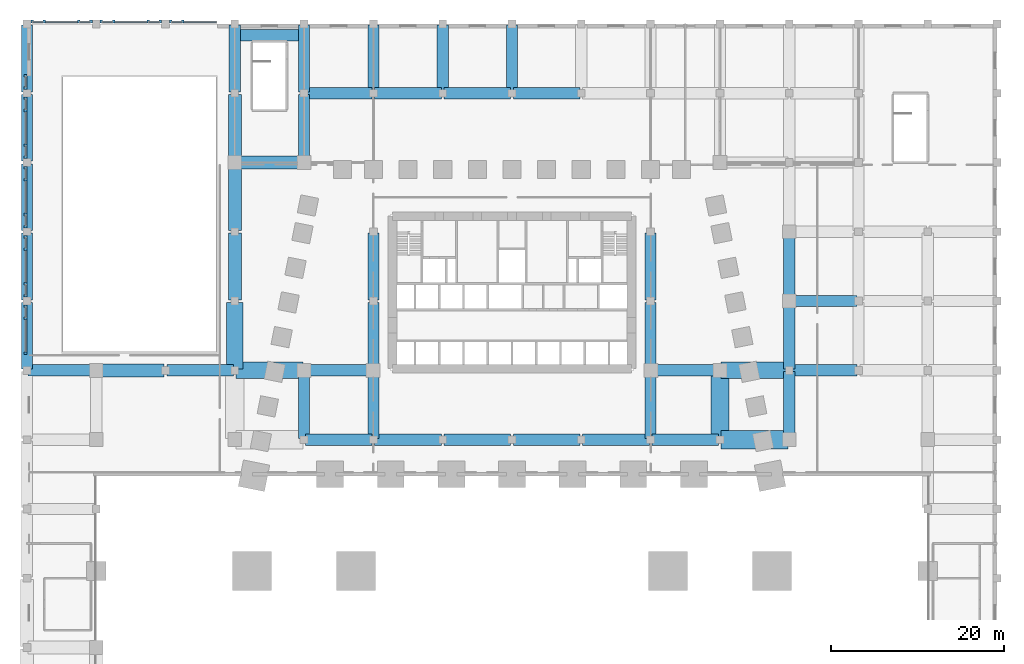
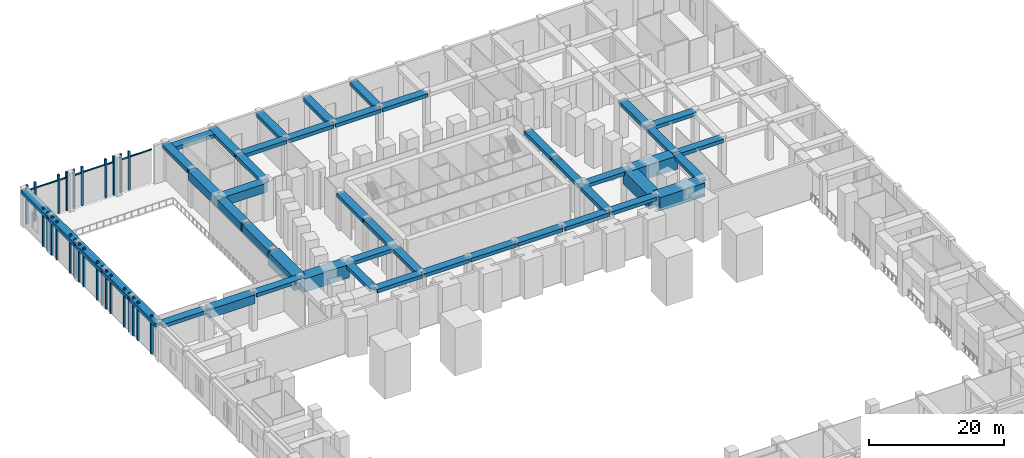
# One storey, part 2 of 18: 48 beams, 47 members, 8 elements without a shape of their own.
"""IFC4 building model written with IfcOpenShell, lengths in metres."""

from ifc_helpers import new_model, si_unit, direction, frame, origin, origin_2d, place, context, subcontext, project, spatial, rectangle, extrude, material, material_profile, profile_set, type_object, element, aggregate, save


model = new_model("IFC4")

# Units and contexts
model_context = context("Model", 3, precision=1e-05, world=origin(), true_north=direction((0.0, 1.0)))
body_context = subcontext(model_context, "Body", "Model", "MODEL_VIEW")
ifc_project = project(units=[si_unit("LENGTHUNIT", "METRE"), si_unit("AREAUNIT", "SQUARE_METRE"), si_unit("VOLUMEUNIT", "CUBIC_METRE"), si_unit("PLANEANGLEUNIT", "RADIAN"), si_unit("MASSUNIT", "GRAM", prefix="KILO")], contexts=[model_context])

# Site, building, storey
site_placement = place(None, origin())
site = spatial("IfcSite", under=ifc_project, at=site_placement, CompositionType="ELEMENT")
building_placement = place(site_placement, origin())
building = spatial("IfcBuilding", under=site, at=building_placement, Name="Isbrekke Arena Tower", CompositionType="ELEMENT")
storey_placement = place(building_placement, frame((0.0, 0.0, 12.0)))
storey = spatial("IfcBuildingStorey", under=building, at=storey_placement, Name="L02", CompositionType="ELEMENT", Elevation=12.0)

# Curtain wall, members
ifc_material_1 = material(Name="Glazed aluminium curtain wall", Category="aluminium")
curtain_wall_type = type_object("IfcCurtainWallType", Name="CWP ATRIUM CURTAIN WALL", PredefinedType="USERDEFINED", material=ifc_material_1)
curtain_wall_1_placement = place(storey_placement, origin())
curtain_wall_1 = element("IfcCurtainWall", 1, at=curtain_wall_1_placement, inside=storey, type_object=curtain_wall_type, Name="CWP curtain wall L02-PW", ObjectType="ATRIUM CURTAIN WALL", PredefinedType="USERDEFINED")
ifc_material_2 = material(Name="Aluminium mullion, pale brick slip cladding", Category="masonry")
ifc_material_profile_1 = material_profile(ifc_material_2, rectangle(XDim=0.300048828125, YDim=0.35009765625, at=origin_2d()), Name="PIER 300X350")
ifc_profile_set_1 = profile_set([ifc_material_profile_1], Name="Aluminium mullion, pale brick slip cladding")
member_type_1 = type_object("IfcMemberType", Name="CWP-M PIER MULLION 300 x 350", PredefinedType="MULLION", material=ifc_profile_set_1)
member_1_placement = place(storey_placement, frame((-56.175048828125, 40.0, 0.0), z_axis=(0.0, 0.0, 1.0), x_axis=(0.0, -1.0, 0.0)))
member_1 = element("IfcMember", 2, at=member_1_placement, type_object=member_type_1, Name="CWP-M mullion 1", PredefinedType="MULLION", context=body_context, shape_type="SweptSolid", body=[
    extrude(rectangle(XDim=0.300048828125, YDim=0.35009765625, at=origin_2d()), origin(), (0.0, 0.0, 1.0), 7.0),
])
member_2_placement = place(storey_placement, frame((-56.175048828125, 38.60009765625, 0.0), z_axis=(0.0, 0.0, 1.0), x_axis=(0.0, -1.0, 0.0)))
member_2 = element("IfcMember", 3, at=member_2_placement, type_object=member_type_1, Name="CWP-M mullion 2", PredefinedType="MULLION", context=body_context, shape_type="SweptSolid", body=[
    extrude(rectangle(XDim=0.300048828125, YDim=0.35009765625, at=origin_2d()), origin(), (0.0, 0.0, 1.0), 7.0),
])

curtain_wall_2_placement = place(storey_placement, origin())
curtain_wall_2 = element("IfcCurtainWall", 4, at=curtain_wall_2_placement, inside=storey, type_object=curtain_wall_type, Name="CWP curtain wall L02-PW2", ObjectType="ATRIUM CURTAIN WALL", PredefinedType="USERDEFINED")
member_3_placement = place(storey_placement, frame((-56.175048828125, 37.39990234375, 0.0), z_axis=(0.0, 0.0, 1.0), x_axis=(0.0, -1.0, 0.0)))
member_3 = element("IfcMember", 5, at=member_3_placement, type_object=member_type_1, Name="CWP-M mullion 1", PredefinedType="MULLION", context=body_context, shape_type="SweptSolid", body=[
    extrude(rectangle(XDim=0.300048828125, YDim=0.35009765625, at=origin_2d()), origin(), (0.0, 0.0, 1.0), 7.0),
])
member_4_placement = place(storey_placement, frame((-56.175048828125, 36.0, 0.0), z_axis=(0.0, 0.0, 1.0), x_axis=(0.0, -1.0, 0.0)))
member_4 = element("IfcMember", 6, at=member_4_placement, type_object=member_type_1, Name="CWP-M mullion 2", PredefinedType="MULLION", context=body_context, shape_type="SweptSolid", body=[
    extrude(rectangle(XDim=0.300048828125, YDim=0.35009765625, at=origin_2d()), origin(), (0.0, 0.0, 1.0), 7.0),
])
member_5_placement = place(storey_placement, frame((-56.175048828125, 32.0, 0.0), z_axis=(0.0, 0.0, 1.0), x_axis=(0.0, -1.0, 0.0)))
member_5 = element("IfcMember", 7, at=member_5_placement, type_object=member_type_1, Name="CWP-M mullion 3", PredefinedType="MULLION", context=body_context, shape_type="SweptSolid", body=[
    extrude(rectangle(XDim=0.300048828125, YDim=0.35009765625, at=origin_2d()), origin(), (0.0, 0.0, 1.0), 7.0),
])
member_6_placement = place(storey_placement, frame((-56.175048828125, 30.60009765625, 0.0), z_axis=(0.0, 0.0, 1.0), x_axis=(0.0, -1.0, 0.0)))
member_6 = element("IfcMember", 8, at=member_6_placement, type_object=member_type_1, Name="CWP-M mullion 4", PredefinedType="MULLION", context=body_context, shape_type="SweptSolid", body=[
    extrude(rectangle(XDim=0.300048828125, YDim=0.35009765625, at=origin_2d()), origin(), (0.0, 0.0, 1.0), 7.0),
])

curtain_wall_3_placement = place(storey_placement, origin())
curtain_wall_3 = element("IfcCurtainWall", 9, at=curtain_wall_3_placement, inside=storey, type_object=curtain_wall_type, Name="CWP curtain wall L02-PW3", ObjectType="ATRIUM CURTAIN WALL", PredefinedType="USERDEFINED")
member_7_placement = place(storey_placement, frame((-56.175048828125, 29.39990234375, 0.0), z_axis=(0.0, 0.0, 1.0), x_axis=(0.0, -1.0, 0.0)))
member_7 = element("IfcMember", 10, at=member_7_placement, type_object=member_type_1, Name="CWP-M mullion 1", PredefinedType="MULLION", context=body_context, shape_type="SweptSolid", body=[
    extrude(rectangle(XDim=0.300048828125, YDim=0.35009765625, at=origin_2d()), origin(), (0.0, 0.0, 1.0), 7.0),
])
member_8_placement = place(storey_placement, frame((-56.175048828125, 28.0, 0.0), z_axis=(0.0, 0.0, 1.0), x_axis=(0.0, -1.0, 0.0)))
member_8 = element("IfcMember", 11, at=member_8_placement, type_object=member_type_1, Name="CWP-M mullion 2", PredefinedType="MULLION", context=body_context, shape_type="SweptSolid", body=[
    extrude(rectangle(XDim=0.300048828125, YDim=0.35009765625, at=origin_2d()), origin(), (0.0, 0.0, 1.0), 7.0),
])
member_9_placement = place(storey_placement, frame((-56.175048828125, 24.0, 0.0), z_axis=(0.0, 0.0, 1.0), x_axis=(0.0, -1.0, 0.0)))
member_9 = element("IfcMember", 12, at=member_9_placement, type_object=member_type_1, Name="CWP-M mullion 3", PredefinedType="MULLION", context=body_context, shape_type="SweptSolid", body=[
    extrude(rectangle(XDim=0.300048828125, YDim=0.35009765625, at=origin_2d()), origin(), (0.0, 0.0, 1.0), 7.0),
])
member_10_placement = place(storey_placement, frame((-56.175048828125, 22.60009765625, 0.0), z_axis=(0.0, 0.0, 1.0), x_axis=(0.0, -1.0, 0.0)))
member_10 = element("IfcMember", 13, at=member_10_placement, type_object=member_type_1, Name="CWP-M mullion 4", PredefinedType="MULLION", context=body_context, shape_type="SweptSolid", body=[
    extrude(rectangle(XDim=0.300048828125, YDim=0.35009765625, at=origin_2d()), origin(), (0.0, 0.0, 1.0), 7.0),
])

curtain_wall_4_placement = place(storey_placement, origin())
curtain_wall_4 = element("IfcCurtainWall", 14, at=curtain_wall_4_placement, inside=storey, type_object=curtain_wall_type, Name="CWP curtain wall L02-PW4", ObjectType="ATRIUM CURTAIN WALL", PredefinedType="USERDEFINED")
member_11_placement = place(storey_placement, frame((-56.175048828125, 21.39990234375, 0.0), z_axis=(0.0, 0.0, 1.0), x_axis=(0.0, -1.0, 0.0)))
member_11 = element("IfcMember", 15, at=member_11_placement, type_object=member_type_1, Name="CWP-M mullion 1", PredefinedType="MULLION", context=body_context, shape_type="SweptSolid", body=[
    extrude(rectangle(XDim=0.300048828125, YDim=0.35009765625, at=origin_2d()), origin(), (0.0, 0.0, 1.0), 7.0),
])
member_12_placement = place(storey_placement, frame((-56.175048828125, 20.0, 0.0), z_axis=(0.0, 0.0, 1.0), x_axis=(0.0, -1.0, 0.0)))
member_12 = element("IfcMember", 16, at=member_12_placement, type_object=member_type_1, Name="CWP-M mullion 2", PredefinedType="MULLION", context=body_context, shape_type="SweptSolid", body=[
    extrude(rectangle(XDim=0.300048828125, YDim=0.35009765625, at=origin_2d()), origin(), (0.0, 0.0, 1.0), 7.0),
])
member_13_placement = place(storey_placement, frame((-56.175048828125, 16.0, 0.0), z_axis=(0.0, 0.0, 1.0), x_axis=(0.0, -1.0, 0.0)))
member_13 = element("IfcMember", 17, at=member_13_placement, type_object=member_type_1, Name="CWP-M mullion 3", PredefinedType="MULLION", context=body_context, shape_type="SweptSolid", body=[
    extrude(rectangle(XDim=0.300048828125, YDim=0.35009765625, at=origin_2d()), origin(), (0.0, 0.0, 1.0), 7.0),
])
member_14_placement = place(storey_placement, frame((-56.175048828125, 14.60009765625, 0.0), z_axis=(0.0, 0.0, 1.0), x_axis=(0.0, -1.0, 0.0)))
member_14 = element("IfcMember", 18, at=member_14_placement, type_object=member_type_1, Name="CWP-M mullion 4", PredefinedType="MULLION", context=body_context, shape_type="SweptSolid", body=[
    extrude(rectangle(XDim=0.300048828125, YDim=0.35009765625, at=origin_2d()), origin(), (0.0, 0.0, 1.0), 7.0),
])

curtain_wall_5_placement = place(storey_placement, origin())
curtain_wall_5 = element("IfcCurtainWall", 19, at=curtain_wall_5_placement, inside=storey, type_object=curtain_wall_type, Name="CWP curtain wall L02-PW5", ObjectType="ATRIUM CURTAIN WALL", PredefinedType="USERDEFINED")
member_15_placement = place(storey_placement, frame((-56.175048828125, 13.39990234375, 0.0), z_axis=(0.0, 0.0, 1.0), x_axis=(0.0, -1.0, 0.0)))
member_15 = element("IfcMember", 20, at=member_15_placement, type_object=member_type_1, Name="CWP-M mullion 1", PredefinedType="MULLION", context=body_context, shape_type="SweptSolid", body=[
    extrude(rectangle(XDim=0.300048828125, YDim=0.35009765625, at=origin_2d()), origin(), (0.0, 0.0, 1.0), 7.0),
])
member_16_placement = place(storey_placement, frame((-56.175048828125, 12.0, 0.0), z_axis=(0.0, 0.0, 1.0), x_axis=(0.0, -1.0, 0.0)))
member_16 = element("IfcMember", 21, at=member_16_placement, type_object=member_type_1, Name="CWP-M mullion 2", PredefinedType="MULLION", context=body_context, shape_type="SweptSolid", body=[
    extrude(rectangle(XDim=0.300048828125, YDim=0.35009765625, at=origin_2d()), origin(), (0.0, 0.0, 1.0), 7.0),
])
member_17_placement = place(storey_placement, frame((-56.175048828125, 8.0, 0.0), z_axis=(0.0, 0.0, 1.0), x_axis=(0.0, -1.0, 0.0)))
member_17 = element("IfcMember", 22, at=member_17_placement, type_object=member_type_1, Name="CWP-M mullion 3", PredefinedType="MULLION", context=body_context, shape_type="SweptSolid", body=[
    extrude(rectangle(XDim=0.300048828125, YDim=0.35009765625, at=origin_2d()), origin(), (0.0, 0.0, 1.0), 7.0),
])

curtain_wall_6_placement = place(storey_placement, origin())
curtain_wall_6 = element("IfcCurtainWall", 23, at=curtain_wall_6_placement, inside=storey, type_object=curtain_wall_type, Name="CWP curtain wall L02-PN", ObjectType="ATRIUM CURTAIN WALL", PredefinedType="USERDEFINED")
member_18_placement = place(storey_placement, frame((-38.0, 46.25, 0.0), z_axis=(0.0, 0.0, 1.0), x_axis=(-1.0, 0.0, 0.0)))
member_18 = element("IfcMember", 24, at=member_18_placement, type_object=member_type_1, Name="CWP-M mullion 1", PredefinedType="MULLION", context=body_context, shape_type="SweptSolid", body=[
    extrude(rectangle(XDim=0.300048828125, YDim=0.35009765625, at=origin_2d()), origin(), (0.0, 0.0, 1.0), 7.0),
])
member_19_placement = place(storey_placement, frame((-39.39990234375, 46.25, 0.0), z_axis=(0.0, 0.0, 1.0), x_axis=(-1.0, 0.0, 0.0)))
member_19 = element("IfcMember", 25, at=member_19_placement, type_object=member_type_1, Name="CWP-M mullion 2", PredefinedType="MULLION", context=body_context, shape_type="SweptSolid", body=[
    extrude(rectangle(XDim=0.300048828125, YDim=0.35009765625, at=origin_2d()), origin(), (0.0, 0.0, 1.0), 7.0),
])

curtain_wall_7_placement = place(storey_placement, origin())
curtain_wall_7 = element("IfcCurtainWall", 26, at=curtain_wall_7_placement, inside=storey, type_object=curtain_wall_type, Name="CWP curtain wall L02-PN2", ObjectType="ATRIUM CURTAIN WALL", PredefinedType="USERDEFINED")
member_20_placement = place(storey_placement, frame((-40.60009765625, 46.25, 0.0), z_axis=(0.0, 0.0, 1.0), x_axis=(-1.0, 0.0, 0.0)))
member_20 = element("IfcMember", 27, at=member_20_placement, type_object=member_type_1, Name="CWP-M mullion 1", PredefinedType="MULLION", context=body_context, shape_type="SweptSolid", body=[
    extrude(rectangle(XDim=0.300048828125, YDim=0.35009765625, at=origin_2d()), origin(), (0.0, 0.0, 1.0), 7.0),
])
member_21_placement = place(storey_placement, frame((-42.0, 46.25, 0.0), z_axis=(0.0, 0.0, 1.0), x_axis=(-1.0, 0.0, 0.0)))
member_21 = element("IfcMember", 28, at=member_21_placement, type_object=member_type_1, Name="CWP-M mullion 2", PredefinedType="MULLION", context=body_context, shape_type="SweptSolid", body=[
    extrude(rectangle(XDim=0.300048828125, YDim=0.35009765625, at=origin_2d()), origin(), (0.0, 0.0, 1.0), 7.0),
])
member_22_placement = place(storey_placement, frame((-46.0, 46.25, 0.0), z_axis=(0.0, 0.0, 1.0), x_axis=(-1.0, 0.0, 0.0)))
member_22 = element("IfcMember", 29, at=member_22_placement, type_object=member_type_1, Name="CWP-M mullion 3", PredefinedType="MULLION", context=body_context, shape_type="SweptSolid", body=[
    extrude(rectangle(XDim=0.300048828125, YDim=0.35009765625, at=origin_2d()), origin(), (0.0, 0.0, 1.0), 7.0),
])
member_23_placement = place(storey_placement, frame((-47.39990234375, 46.25, 0.0), z_axis=(0.0, 0.0, 1.0), x_axis=(-1.0, 0.0, 0.0)))
member_23 = element("IfcMember", 30, at=member_23_placement, type_object=member_type_1, Name="CWP-M mullion 4", PredefinedType="MULLION", context=body_context, shape_type="SweptSolid", body=[
    extrude(rectangle(XDim=0.300048828125, YDim=0.35009765625, at=origin_2d()), origin(), (0.0, 0.0, 1.0), 7.0),
])

curtain_wall_8_placement = place(storey_placement, origin())
curtain_wall_8 = element("IfcCurtainWall", 31, at=curtain_wall_8_placement, inside=storey, type_object=curtain_wall_type, Name="CWP curtain wall L02-PN3", ObjectType="ATRIUM CURTAIN WALL", PredefinedType="USERDEFINED")
member_24_placement = place(storey_placement, frame((-48.60009765625, 46.25, 0.0), z_axis=(0.0, 0.0, 1.0), x_axis=(-1.0, 0.0, 0.0)))
member_24 = element("IfcMember", 32, at=member_24_placement, type_object=member_type_1, Name="CWP-M mullion 1", PredefinedType="MULLION", context=body_context, shape_type="SweptSolid", body=[
    extrude(rectangle(XDim=0.300048828125, YDim=0.35009765625, at=origin_2d()), origin(), (0.0, 0.0, 1.0), 7.0),
])
member_25_placement = place(storey_placement, frame((-50.0, 46.25, 0.0), z_axis=(0.0, 0.0, 1.0), x_axis=(-1.0, 0.0, 0.0)))
member_25 = element("IfcMember", 33, at=member_25_placement, type_object=member_type_1, Name="CWP-M mullion 2", PredefinedType="MULLION", context=body_context, shape_type="SweptSolid", body=[
    extrude(rectangle(XDim=0.300048828125, YDim=0.35009765625, at=origin_2d()), origin(), (0.0, 0.0, 1.0), 7.0),
])
member_26_placement = place(storey_placement, frame((-54.0, 46.25, 0.0), z_axis=(0.0, 0.0, 1.0), x_axis=(-1.0, 0.0, 0.0)))
member_26 = element("IfcMember", 34, at=member_26_placement, type_object=member_type_1, Name="CWP-M mullion 3", PredefinedType="MULLION", context=body_context, shape_type="SweptSolid", body=[
    extrude(rectangle(XDim=0.300048828125, YDim=0.35009765625, at=origin_2d()), origin(), (0.0, 0.0, 1.0), 7.0),
])
member_27_placement = place(storey_placement, frame((-55.402099609375, 46.25, 0.0), z_axis=(0.0, 0.0, 1.0), x_axis=(-1.0, 0.0, 0.0)))
member_27 = element("IfcMember", 35, at=member_27_placement, type_object=member_type_1, Name="CWP-M mullion 4", PredefinedType="MULLION", context=body_context, shape_type="SweptSolid", body=[
    extrude(rectangle(XDim=0.300048828125, YDim=0.35009765625, at=origin_2d()), origin(), (0.0, 0.0, 1.0), 7.0),
])

# Member
ifc_material_3 = material(Name="Aluminium transom", Category="aluminium")
ifc_material_profile_2 = material_profile(ifc_material_3, rectangle(XDim=0.1201171875, YDim=0.199951171875, at=origin_2d()), Name="TRANSOM 120X200")
ifc_profile_set_2 = profile_set([ifc_material_profile_2], Name="Aluminium transom")
member_type_2 = type_object("IfcMemberType", Name="CWP-T TRANSOM 120 x 200", PredefinedType="USERDEFINED", material=ifc_profile_set_2)
member_28_placement = place(storey_placement, frame((-56.10009765625, 39.85009765625, 6.0), z_axis=(0.0, -1.0, 0.0), x_axis=(1.0, 0.0, 0.0)))
member_28 = element("IfcMember", 36, at=member_28_placement, type_object=member_type_2, Name="CWP-T transom 1", ObjectType="TRANSOM", PredefinedType="USERDEFINED", context=body_context, shape_type="SweptSolid", body=[
    extrude(rectangle(XDim=0.1201171875, YDim=0.199951171875, at=origin_2d()), origin(), (0.0, 0.0, 1.0), 1.10009765625),
])

aggregate(curtain_wall_1, [member_1, member_2, member_28])

member_29_placement = place(storey_placement, frame((-56.10009765625, 37.25, 6.0), z_axis=(0.0, -1.0, 0.0), x_axis=(1.0, 0.0, 0.0)))
member_29 = element("IfcMember", 37, at=member_29_placement, type_object=member_type_2, Name="CWP-T transom 1", ObjectType="TRANSOM", PredefinedType="USERDEFINED", context=body_context, shape_type="SweptSolid", body=[
    extrude(rectangle(XDim=0.1201171875, YDim=0.199951171875, at=origin_2d()), origin(), (0.0, 0.0, 1.0), 1.10009765625),
])

member_30_placement = place(storey_placement, frame((-56.10009765625, 35.85009765625, 6.0), z_axis=(0.0, -1.0, 0.0), x_axis=(1.0, 0.0, 0.0)))
member_30 = element("IfcMember", 38, at=member_30_placement, type_object=member_type_2, Name="CWP-T transom 2", ObjectType="TRANSOM", PredefinedType="USERDEFINED", context=body_context, shape_type="SweptSolid", body=[
    extrude(rectangle(XDim=0.1201171875, YDim=0.199951171875, at=origin_2d()), origin(), (0.0, 0.0, 1.0), 3.7001953125),
])

member_31_placement = place(storey_placement, frame((-56.10009765625, 31.85009765625, 6.0), z_axis=(0.0, -1.0, 0.0), x_axis=(1.0, 0.0, 0.0)))
member_31 = element("IfcMember", 39, at=member_31_placement, type_object=member_type_2, Name="CWP-T transom 3", ObjectType="TRANSOM", PredefinedType="USERDEFINED", context=body_context, shape_type="SweptSolid", body=[
    extrude(rectangle(XDim=0.1201171875, YDim=0.199951171875, at=origin_2d()), origin(), (0.0, 0.0, 1.0), 1.10009765625),
])

aggregate(curtain_wall_2, [member_3, member_4, member_5, member_6, member_29, member_30, member_31])

member_32_placement = place(storey_placement, frame((-56.10009765625, 29.25, 6.0), z_axis=(0.0, -1.0, 0.0), x_axis=(1.0, 0.0, 0.0)))
member_32 = element("IfcMember", 40, at=member_32_placement, type_object=member_type_2, Name="CWP-T transom 1", ObjectType="TRANSOM", PredefinedType="USERDEFINED", context=body_context, shape_type="SweptSolid", body=[
    extrude(rectangle(XDim=0.1201171875, YDim=0.199951171875, at=origin_2d()), origin(), (0.0, 0.0, 1.0), 1.10009765625),
])

member_33_placement = place(storey_placement, frame((-56.10009765625, 27.85009765625, 6.0), z_axis=(0.0, -1.0, 0.0), x_axis=(1.0, 0.0, 0.0)))
member_33 = element("IfcMember", 41, at=member_33_placement, type_object=member_type_2, Name="CWP-T transom 2", ObjectType="TRANSOM", PredefinedType="USERDEFINED", context=body_context, shape_type="SweptSolid", body=[
    extrude(rectangle(XDim=0.1201171875, YDim=0.199951171875, at=origin_2d()), origin(), (0.0, 0.0, 1.0), 3.7001953125),
])

member_34_placement = place(storey_placement, frame((-56.10009765625, 23.85009765625, 6.0), z_axis=(0.0, -1.0, 0.0), x_axis=(1.0, 0.0, 0.0)))
member_34 = element("IfcMember", 42, at=member_34_placement, type_object=member_type_2, Name="CWP-T transom 3", ObjectType="TRANSOM", PredefinedType="USERDEFINED", context=body_context, shape_type="SweptSolid", body=[
    extrude(rectangle(XDim=0.1201171875, YDim=0.199951171875, at=origin_2d()), origin(), (0.0, 0.0, 1.0), 1.10009765625),
])

aggregate(curtain_wall_3, [member_7, member_8, member_9, member_10, member_32, member_33, member_34])

member_35_placement = place(storey_placement, frame((-56.10009765625, 21.25, 6.0), z_axis=(0.0, -1.0, 0.0), x_axis=(1.0, 0.0, 0.0)))
member_35 = element("IfcMember", 43, at=member_35_placement, type_object=member_type_2, Name="CWP-T transom 1", ObjectType="TRANSOM", PredefinedType="USERDEFINED", context=body_context, shape_type="SweptSolid", body=[
    extrude(rectangle(XDim=0.1201171875, YDim=0.199951171875, at=origin_2d()), origin(), (0.0, 0.0, 1.0), 1.10009765625),
])

member_36_placement = place(storey_placement, frame((-56.10009765625, 19.85009765625, 6.0), z_axis=(0.0, -1.0, 0.0), x_axis=(1.0, 0.0, 0.0)))
member_36 = element("IfcMember", 44, at=member_36_placement, type_object=member_type_2, Name="CWP-T transom 2", ObjectType="TRANSOM", PredefinedType="USERDEFINED", context=body_context, shape_type="SweptSolid", body=[
    extrude(rectangle(XDim=0.1201171875, YDim=0.199951171875, at=origin_2d()), origin(), (0.0, 0.0, 1.0), 3.7001953125),
])

member_37_placement = place(storey_placement, frame((-56.10009765625, 15.85009765625, 6.0), z_axis=(0.0, -1.0, 0.0), x_axis=(1.0, 0.0, 0.0)))
member_37 = element("IfcMember", 45, at=member_37_placement, type_object=member_type_2, Name="CWP-T transom 3", ObjectType="TRANSOM", PredefinedType="USERDEFINED", context=body_context, shape_type="SweptSolid", body=[
    extrude(rectangle(XDim=0.1201171875, YDim=0.199951171875, at=origin_2d()), origin(), (0.0, 0.0, 1.0), 1.10009765625),
])

aggregate(curtain_wall_4, [member_11, member_12, member_13, member_14, member_35, member_36, member_37])

member_38_placement = place(storey_placement, frame((-56.10009765625, 13.25, 6.0), z_axis=(0.0, -1.0, 0.0), x_axis=(1.0, 0.0, 0.0)))
member_38 = element("IfcMember", 46, at=member_38_placement, type_object=member_type_2, Name="CWP-T transom 1", ObjectType="TRANSOM", PredefinedType="USERDEFINED", context=body_context, shape_type="SweptSolid", body=[
    extrude(rectangle(XDim=0.1201171875, YDim=0.199951171875, at=origin_2d()), origin(), (0.0, 0.0, 1.0), 1.10009765625),
])

member_39_placement = place(storey_placement, frame((-56.10009765625, 11.85009765625, 6.0), z_axis=(0.0, -1.0, 0.0), x_axis=(1.0, 0.0, 0.0)))
member_39 = element("IfcMember", 47, at=member_39_placement, type_object=member_type_2, Name="CWP-T transom 2", ObjectType="TRANSOM", PredefinedType="USERDEFINED", context=body_context, shape_type="SweptSolid", body=[
    extrude(rectangle(XDim=0.1201171875, YDim=0.199951171875, at=origin_2d()), origin(), (0.0, 0.0, 1.0), 3.7001953125),
])

aggregate(curtain_wall_5, [member_15, member_16, member_17, member_38, member_39])

member_40_placement = place(storey_placement, frame((-34.14990234375, 46.175048828125, 6.0), z_axis=(-1.0, 0.0, 0.0), x_axis=(0.0, -1.0, 0.0)))
member_40 = element("IfcMember", 48, at=member_40_placement, type_object=member_type_2, Name="CWP-T transom 1", ObjectType="TRANSOM", PredefinedType="USERDEFINED", context=body_context, shape_type="SweptSolid", body=[
    extrude(rectangle(XDim=0.1201171875, YDim=0.199951171875, at=origin_2d()), origin(), (0.0, 0.0, 1.0), 3.7001953125),
])

member_41_placement = place(storey_placement, frame((-38.14990234375, 46.175048828125, 6.0), z_axis=(-1.0, 0.0, 0.0), x_axis=(0.0, -1.0, 0.0)))
member_41 = element("IfcMember", 49, at=member_41_placement, type_object=member_type_2, Name="CWP-T transom 2", ObjectType="TRANSOM", PredefinedType="USERDEFINED", context=body_context, shape_type="SweptSolid", body=[
    extrude(rectangle(XDim=0.1201171875, YDim=0.199951171875, at=origin_2d()), origin(), (0.0, 0.0, 1.0), 1.10009765625),
])

aggregate(curtain_wall_6, [member_18, member_19, member_40, member_41])

member_42_placement = place(storey_placement, frame((-40.75, 46.175048828125, 6.0), z_axis=(-1.0, 0.0, 0.0), x_axis=(0.0, -1.0, 0.0)))
member_42 = element("IfcMember", 50, at=member_42_placement, type_object=member_type_2, Name="CWP-T transom 1", ObjectType="TRANSOM", PredefinedType="USERDEFINED", context=body_context, shape_type="SweptSolid", body=[
    extrude(rectangle(XDim=0.1201171875, YDim=0.199951171875, at=origin_2d()), origin(), (0.0, 0.0, 1.0), 1.10009765625),
])

member_43_placement = place(storey_placement, frame((-42.14990234375, 46.175048828125, 6.0), z_axis=(-1.0, 0.0, 0.0), x_axis=(0.0, -1.0, 0.0)))
member_43 = element("IfcMember", 51, at=member_43_placement, type_object=member_type_2, Name="CWP-T transom 2", ObjectType="TRANSOM", PredefinedType="USERDEFINED", context=body_context, shape_type="SweptSolid", body=[
    extrude(rectangle(XDim=0.1201171875, YDim=0.199951171875, at=origin_2d()), origin(), (0.0, 0.0, 1.0), 3.7001953125),
])

member_44_placement = place(storey_placement, frame((-46.14990234375, 46.175048828125, 6.0), z_axis=(-1.0, 0.0, 0.0), x_axis=(0.0, -1.0, 0.0)))
member_44 = element("IfcMember", 52, at=member_44_placement, type_object=member_type_2, Name="CWP-T transom 3", ObjectType="TRANSOM", PredefinedType="USERDEFINED", context=body_context, shape_type="SweptSolid", body=[
    extrude(rectangle(XDim=0.1201171875, YDim=0.199951171875, at=origin_2d()), origin(), (0.0, 0.0, 1.0), 1.10009765625),
])

aggregate(curtain_wall_7, [member_20, member_21, member_22, member_23, member_42, member_43, member_44])

member_45_placement = place(storey_placement, frame((-48.75, 46.175048828125, 6.0), z_axis=(-1.0, 0.0, 0.0), x_axis=(0.0, -1.0, 0.0)))
member_45 = element("IfcMember", 53, at=member_45_placement, type_object=member_type_2, Name="CWP-T transom 1", ObjectType="TRANSOM", PredefinedType="USERDEFINED", context=body_context, shape_type="SweptSolid", body=[
    extrude(rectangle(XDim=0.1201171875, YDim=0.199951171875, at=origin_2d()), origin(), (0.0, 0.0, 1.0), 1.10009765625),
])

member_46_placement = place(storey_placement, frame((-50.14990234375, 46.175048828125, 6.0), z_axis=(-1.0, 0.0, 0.0), x_axis=(0.0, -1.0, 0.0)))
member_46 = element("IfcMember", 54, at=member_46_placement, type_object=member_type_2, Name="CWP-T transom 2", ObjectType="TRANSOM", PredefinedType="USERDEFINED", context=body_context, shape_type="SweptSolid", body=[
    extrude(rectangle(XDim=0.1201171875, YDim=0.199951171875, at=origin_2d()), origin(), (0.0, 0.0, 1.0), 3.7001953125),
])

member_47_placement = place(storey_placement, frame((-54.14990234375, 46.175048828125, 6.0), z_axis=(-1.0, 0.0, 0.0), x_axis=(0.0, -1.0, 0.0)))
member_47 = element("IfcMember", 55, at=member_47_placement, type_object=member_type_2, Name="CWP-T transom 3", ObjectType="TRANSOM", PredefinedType="USERDEFINED", context=body_context, shape_type="SweptSolid", body=[
    extrude(rectangle(XDim=0.1201171875, YDim=0.199951171875, at=origin_2d()), origin(), (0.0, 0.0, 1.0), 1.10205078125),
])

aggregate(curtain_wall_8, [member_24, member_25, member_26, member_27, member_45, member_46, member_47])

# Beams
ifc_material_4 = material(Name="Concrete B45 (C45/55)", Category="concrete")
ifc_material_profile_3 = material_profile(ifc_material_4, rectangle(XDim=1.300048828125, YDim=0.64990234375, at=origin_2d()), Name="RC 1300x650")
ifc_profile_set_3 = profile_set([ifc_material_profile_3], Name="Concrete B45 (C45/55)")
beam_type_1 = type_object("IfcBeamType", Name="PB1 RC 1300 x 650", PredefinedType="BEAM", material=ifc_profile_set_3)
for number, where, z_axis, x_axis, name in (
    (56, (-23.85009765625, -2.0, 6.375), (1.0, 0.0, 0.0), (0.0, 1.0, 0.0), "PB1 podium beam J5 L03"),
    (57, (-24.0, -1.85009765625, 6.375), (0.0, 1.0, 0.0), (-1.0, 0.0, 0.0), "PB1 podium beam J5 L03"),
    (58, (-15.85009765625, -2.0, 6.375), (1.0, 0.0, 0.0), (0.0, 1.0, 0.0), "PB1 podium beam J6 L03"),
    (59, (-16.0, -1.85009765625, 6.375), (0.0, 1.0, 0.0), (-1.0, 0.0, 0.0), "PB1 podium beam J6 L03"),
    (60, (-7.85009765625, -2.0, 6.375), (1.0, 0.0, 0.0), (0.0, 1.0, 0.0), "PB1 podium beam J7 L03"),
    (61, (0.14990234375, -2.0, 6.375), (1.0, 0.0, 0.0), (0.0, 1.0, 0.0), "PB1 podium beam J8 L03"),
    (62, (8.14990234375, -2.0, 6.375), (1.0, 0.0, 0.0), (0.0, 1.0, 0.0), "PB1 podium beam J9 L03"),
    (63, (16.14990234375, -2.0, 6.375), (1.0, 0.0, 0.0), (0.0, 1.0, 0.0), "PB1 podium beam J10 L03"),
    (64, (16.0, -1.85009765625, 6.375), (0.0, 1.0, 0.0), (-1.0, 0.0, 0.0), "PB1 podium beam J10 L03"),
    (65, (32.0, -1.85009765625, 6.375), (0.0, 1.0, 0.0), (-1.0, 0.0, 0.0), "PB1 podium beam J12 L03"),
    (66, (-55.85009765625, 6.0, 6.375), (1.0, 0.0, 0.0), (0.0, 1.0, 0.0), "PB1 podium beam K1 L03"),
    (67, (-56.0, 6.14990234375, 6.375), (0.0, 1.0, 0.0), (-1.0, 0.0, 0.0), "PB1 podium beam K1 L03"),
    (68, (-39.85009765625, 6.0, 6.375), (1.0, 0.0, 0.0), (0.0, 1.0, 0.0), "PB1 podium beam K3 L03"),
    (69, (-23.85009765625, 6.0, 6.375), (1.0, 0.0, 0.0), (0.0, 1.0, 0.0), "PB1 podium beam K5 L03"),
    (70, (-16.0, 6.14990234375, 6.375), (0.0, 1.0, 0.0), (-1.0, 0.0, 0.0), "PB1 podium beam K6 L03"),
    (71, (16.14990234375, 6.0, 6.375), (1.0, 0.0, 0.0), (0.0, 1.0, 0.0), "PB1 podium beam K10 L03"),
    (72, (16.0, 6.14990234375, 6.375), (0.0, 1.0, 0.0), (-1.0, 0.0, 0.0), "PB1 podium beam K10 L03"),
    (73, (32.14990234375, 6.0, 6.375), (1.0, 0.0, 0.0), (0.0, 1.0, 0.0), "PB1 podium beam K12 L03"),
    (74, (32.0, 6.14990234375, 6.375), (0.0, 1.0, 0.0), (-1.0, 0.0, 0.0), "PB1 podium beam K12 L03"),
    (75, (-56.0, 14.14990234375, 6.375), (0.0, 1.0, 0.0), (-1.0, 0.0, 0.0), "PB1 podium beam L1 L03"),
    (76, (-16.0, 14.14990234375, 6.375), (0.0, 1.0, 0.0), (-1.0, 0.0, 0.0), "PB1 podium beam L6 L03"),
    (77, (16.0, 14.14990234375, 6.375), (0.0, 1.0, 0.0), (-1.0, 0.0, 0.0), "PB1 podium beam L10 L03"),
    (78, (32.14990234375, 14.0, 6.375), (1.0, 0.0, 0.0), (0.0, 1.0, 0.0), "PB1 podium beam L12 L03"),
    (79, (32.0, 14.14990234375, 6.375), (0.0, 1.0, 0.0), (-1.0, 0.0, 0.0), "PB1 podium beam L12 L03"),
    (80, (-56.0, 22.14990234375, 6.375), (0.0, 1.0, 0.0), (-1.0, 0.0, 0.0), "PB1 podium beam M1 L03"),
    (81, (-56.0, 30.14990234375, 6.375), (0.0, 1.0, 0.0), (-1.0, 0.0, 0.0), "PB1 podium beam N1 L03"),
    (82, (-24.0, 30.14990234375, 6.375), (0.0, 1.0, 0.0), (-1.0, 0.0, 0.0), "PB1 podium beam N5 L03"),
    (83, (-56.0, 38.14990234375, 6.375), (0.0, 1.0, 0.0), (-1.0, 0.0, 0.0), "PB1 podium beam O1 L03"),
    (84, (-32.0, 38.14990234375, 6.375), (0.0, 1.0, 0.0), (-1.0, 0.0, 0.0), "PB1 podium beam O4 L03"),
    (85, (-23.85009765625, 38.0, 6.375), (1.0, 0.0, 0.0), (0.0, 1.0, 0.0), "PB1 podium beam O5 L03"),
    (86, (-24.0, 38.14990234375, 6.375), (0.0, 1.0, 0.0), (-1.0, 0.0, 0.0), "PB1 podium beam O5 L03"),
    (87, (-15.85009765625, 38.0, 6.375), (1.0, 0.0, 0.0), (0.0, 1.0, 0.0), "PB1 podium beam O6 L03"),
    (88, (-16.0, 38.14990234375, 6.375), (0.0, 1.0, 0.0), (-1.0, 0.0, 0.0), "PB1 podium beam O6 L03"),
    (89, (-7.85009765625, 38.0, 6.375), (1.0, 0.0, 0.0), (0.0, 1.0, 0.0), "PB1 podium beam O7 L03"),
    (90, (-8.0, 38.14990234375, 6.375), (0.0, 1.0, 0.0), (-1.0, 0.0, 0.0), "PB1 podium beam O7 L03"),
    (91, (0.14990234375, 38.0, 6.375), (1.0, 0.0, 0.0), (0.0, 1.0, 0.0), "PB1 podium beam O8 L03"),
    (92, (0.0, 38.14990234375, 6.375), (0.0, 1.0, 0.0), (-1.0, 0.0, 0.0), "PB1 podium beam O8 L03"),
    (93, (-31.85009765625, 44.699951171875, 6.375), (1.0, 0.0, 0.0), (0.0, 1.0, 0.0), "PB1 podium beam O4 L03"),
):
    element("IfcBeam", number, at=place(storey_placement, frame(where, z_axis=z_axis, x_axis=x_axis)), inside=storey, type_object=beam_type_1, Name=name, PredefinedType="BEAM", context=body_context, shape_type="SweptSolid", body=[
        extrude(rectangle(XDim=1.300048828125, YDim=0.64990234375, at=origin_2d()), origin(), (0.0, 0.0, 1.0), 7.7001953125),
    ])
ifc_material_5 = material(Name="Concrete B45 (C45/55)", Category="concrete")
ifc_material_profile_4 = material_profile(ifc_material_5, rectangle(XDim=1.5, YDim=1.60009765625, at=origin_2d()), Name="RC 1500x1600")
ifc_profile_set_4 = profile_set([ifc_material_profile_4], Name="Concrete B45 (C45/55)")
beam_type_2 = type_object("IfcBeamType", Name="PB2 RC 1500 x 1600", PredefinedType="BEAM", material=ifc_profile_set_4)
for number, where, z_axis, x_axis, name in (
    (94, (-47.85009765625, 6.0, 5.89990234375), (1.0, 0.0, 0.0), (0.0, 1.0, 0.0), "PB2 podium beam K2 L03"),
    (95, (-32.0, 14.14990234375, 5.89990234375), (0.0, 1.0, 0.0), (-1.0, 0.0, 0.0), "PB2 podium beam L4 L03"),
    (96, (-32.0, 22.14990234375, 5.89990234375), (0.0, 1.0, 0.0), (-1.0, 0.0, 0.0), "PB2 podium beam M4 L03"),
    (97, (-31.85009765625, 30.0, 5.89990234375), (1.0, 0.0, 0.0), (0.0, 1.0, 0.0), "PB2 podium beam N4 L03"),
    (98, (-32.0, 30.14990234375, 5.89990234375), (0.0, 1.0, 0.0), (-1.0, 0.0, 0.0), "PB2 podium beam N4 L03"),
):
    element("IfcBeam", number, at=place(storey_placement, frame(where, z_axis=z_axis, x_axis=x_axis)), inside=storey, type_object=beam_type_2, Name=name, PredefinedType="BEAM", context=body_context, shape_type="SweptSolid", body=[
        extrude(rectangle(XDim=1.5, YDim=1.60009765625, at=origin_2d()), origin(), (0.0, 0.0, 1.0), 7.7001953125),
    ])
ifc_material_6 = material(Name="Concrete B45 (C45/55)", Category="concrete")
ifc_material_profile_5 = material_profile(ifc_material_6, rectangle(XDim=1.89990234375, YDim=2.39990234375, at=origin_2d()), Name="RC 1900x2400")
ifc_profile_set_5 = profile_set([ifc_material_profile_5], Name="Concrete B45 (C45/55)")
beam_type_3 = type_object("IfcBeamType", Name="PB3 RC 1900 x 2400", PredefinedType="BEAM", material=ifc_profile_set_5)
for number, where, z_axis, x_axis, name in (
    (99, (-31.85009765625, 6.0, 5.5), (1.0, 0.0, 0.0), (0.0, 1.0, 0.0), "PB3 podium beam K4 L03"),
    (100, (-32.0, 6.14990234375, 5.5), (0.0, 1.0, 0.0), (-1.0, 0.0, 0.0), "PB3 podium beam K4 L03"),
    (101, (24.14990234375, 6.0, 5.5), (1.0, 0.0, 0.0), (0.0, 1.0, 0.0), "PB3 podium beam K11 L03"),
):
    element("IfcBeam", number, at=place(storey_placement, frame(where, z_axis=z_axis, x_axis=x_axis)), inside=storey, type_object=beam_type_3, Name=name, PredefinedType="BEAM", context=body_context, shape_type="SweptSolid", body=[
        extrude(rectangle(XDim=1.89990234375, YDim=2.39990234375, at=origin_2d()), origin(), (0.0, 0.0, 1.0), 7.7001953125),
    ])
ifc_material_7 = material(Name="Concrete B45 (C45/55)", Category="concrete")
ifc_material_profile_6 = material_profile(ifc_material_7, rectangle(XDim=2.10009765625, YDim=2.39990234375, at=origin_2d()), Name="RC 2100x2400")
ifc_profile_set_6 = profile_set([ifc_material_profile_6], Name="Concrete B45 (C45/55)")
beam_type_4 = type_object("IfcBeamType", Name="PB4 RC 2100 x 2400", PredefinedType="BEAM", material=ifc_profile_set_6)
for number, where, z_axis, x_axis, name in (
    (102, (24.14990234375, -2.0, 5.5), (1.0, 0.0, 0.0), (0.0, 1.0, 0.0), "PB4 podium beam J11 L03"),
    (103, (24.0, -1.85009765625, 5.5), (0.0, 1.0, 0.0), (-1.0, 0.0, 0.0), "PB4 podium beam J11 L03"),
):
    element("IfcBeam", number, at=place(storey_placement, frame(where, z_axis=z_axis, x_axis=x_axis)), inside=storey, type_object=beam_type_4, Name=name, PredefinedType="BEAM", context=body_context, shape_type="SweptSolid", body=[
        extrude(rectangle(XDim=2.10009765625, YDim=2.39990234375, at=origin_2d()), origin(), (0.0, 0.0, 1.0), 7.7001953125),
    ])

save(model, "model.ifc")
